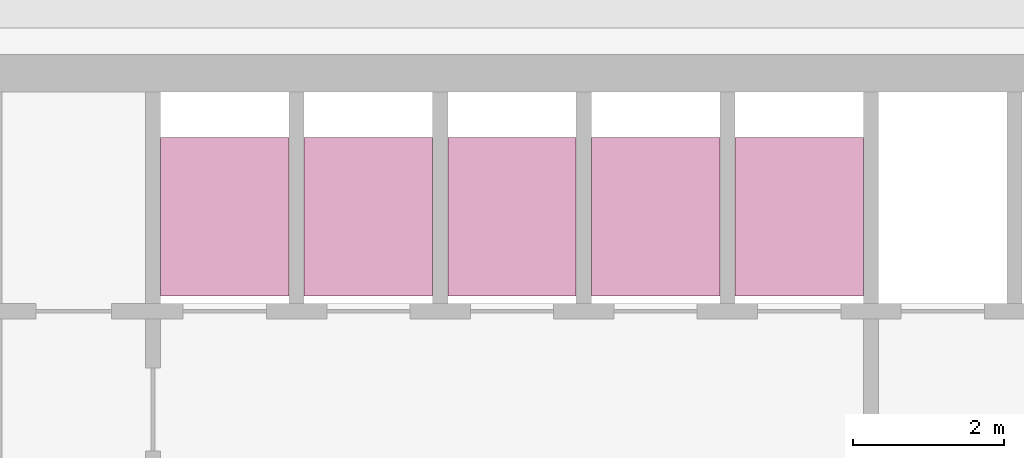
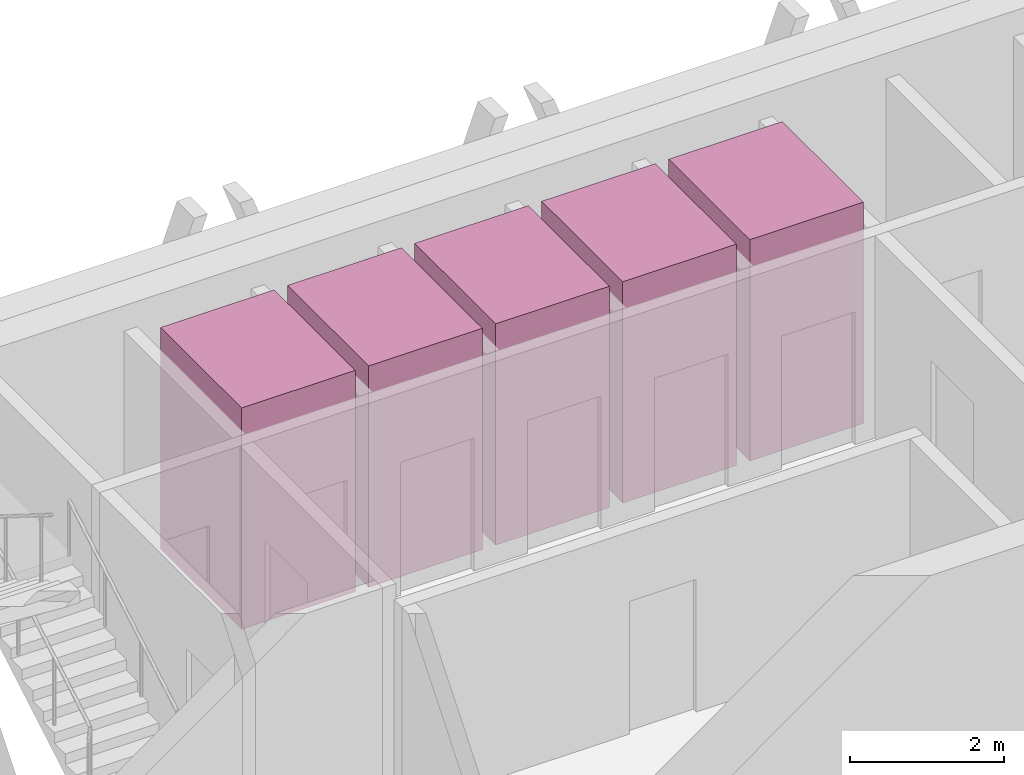
# One storey, part 12 of 12: 5 transport elements.
"""IFC4 building model written with IfcOpenShell, lengths in metres."""

from ifc_helpers import new_model, si_unit, direction, frame, origin, origin_2d, place, context, subcontext, project, spatial, rectangle, extrude, material, type_object, element, save


model = new_model("IFC4")

# Units and contexts
model_context = context("Model", 3, precision=1e-05, world=origin(), true_north=direction((0.0, 1.0)))
body_context = subcontext(model_context, "Body", "Model", "MODEL_VIEW")
ifc_project = project(units=[si_unit("LENGTHUNIT", "METRE"), si_unit("AREAUNIT", "SQUARE_METRE"), si_unit("VOLUMEUNIT", "CUBIC_METRE"), si_unit("PLANEANGLEUNIT", "RADIAN"), si_unit("MASSUNIT", "GRAM", prefix="KILO")], contexts=[model_context])

# Site, building, storey
site_placement = place(None, origin())
site = spatial("IfcSite", under=ifc_project, at=site_placement, CompositionType="ELEMENT")
building_placement = place(site_placement, origin())
building = spatial("IfcBuilding", under=site, at=building_placement, Name="Altiplano Prism Tower", CompositionType="ELEMENT")
storey_placement = place(building_placement, frame((0.0, 0.0, 275.199951171875)))
storey = spatial("IfcBuildingStorey", under=building, at=storey_placement, Name="L71", CompositionType="ELEMENT", Elevation=275.199951171875)

# Transport elements
ifc_material = material(Name="Stainless steel lift car", Category="steel")
transport_element_type = type_object("IfcTransportElementType", Name="Passenger lift car 1600 x 2100", PredefinedType="ELEVATOR", material=ifc_material)
for number, where, z_axis, x_axis, name in (
    (1, (79.050048828125, 101.75, 0.050048828125), (0.0, 0.0, 1.0), (1.0, 0.0, 0.0), "High Zone Passenger Lift 1"),
    (2, (80.949951171875, 101.75, 0.050048828125), (0.0, 0.0, 1.0), (1.0, 0.0, 0.0), "High Zone Passenger Lift 2"),
    (3, (82.85009765625, 101.75, 0.050048828125), (0.0, 0.0, 1.0), (1.0, 0.0, 0.0), "High Zone Passenger Lift 3"),
    (4, (84.75, 101.75, 0.050048828125), (0.0, 0.0, 1.0), (1.0, 0.0, 0.0), "High Zone Passenger Lift 4"),
    (5, (86.64990234375, 101.75, 0.050048828125), (0.0, 0.0, 1.0), (1.0, 0.0, 0.0), "High Zone Passenger Lift 5"),
):
    element("IfcTransportElement", number, at=place(storey_placement, frame(where, z_axis=z_axis, x_axis=x_axis)), inside=storey, type_object=transport_element_type, Name=name, PredefinedType="ELEVATOR", context=body_context, shape_type="SweptSolid", body=[
        extrude(rectangle(XDim=1.699951171875, YDim=2.10009765625, at=origin_2d()), origin(), (0.0, 0.0, 1.0), 3.5),
    ])

save(model, "model.ifc")
